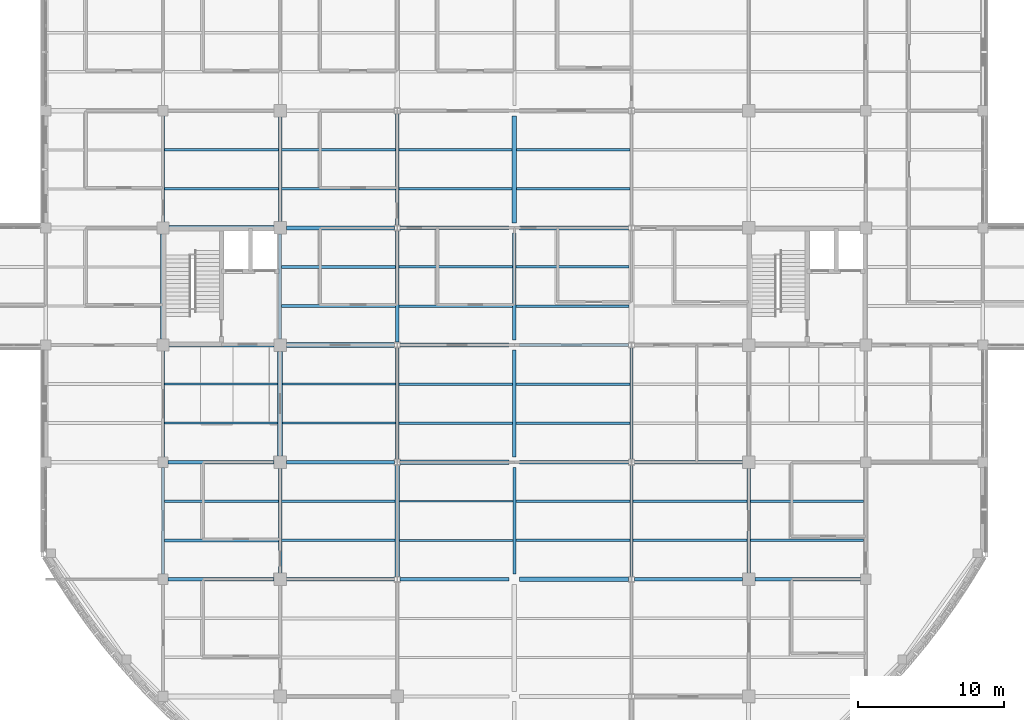
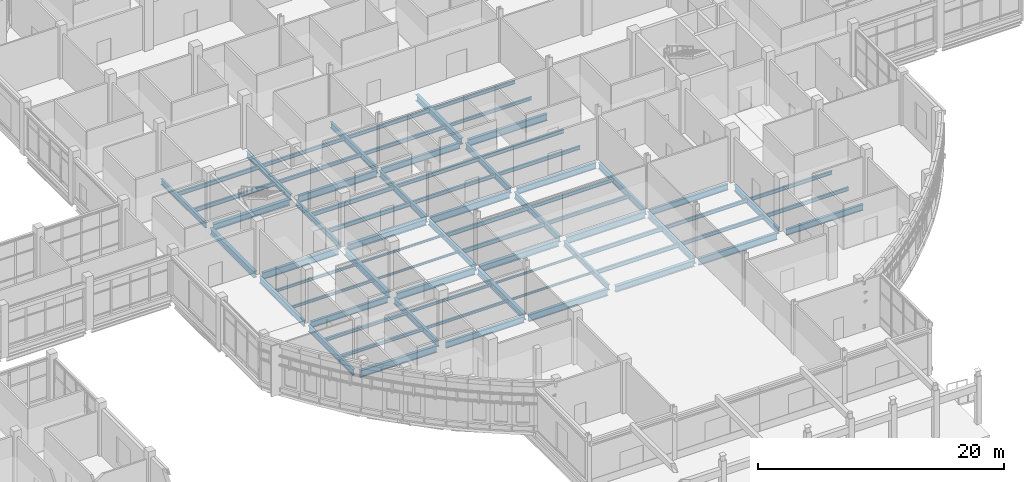
# One storey, part 20 of 105: 72 beams.
"""IFC4 building model written with IfcOpenShell, lengths in metres."""

from ifc_helpers import new_model, si_unit, derived_unit, direction, frame, origin, origin_2d, place, context, subcontext, project, spatial, i_section, extrude, material, material_profile, profile_set, type_object, element, save


model = new_model("IFC4")

# Units and contexts
model_context = context("Model", 3, precision=1e-05, world=origin(), true_north=direction((0.0, 1.0)))
body_context = subcontext(model_context, "Body", "Model", "MODEL_VIEW")
ifc_project = project(units=[si_unit("LENGTHUNIT", "METRE"), si_unit("AREAUNIT", "SQUARE_METRE"), si_unit("VOLUMEUNIT", "CUBIC_METRE"), si_unit("PLANEANGLEUNIT", "RADIAN"), si_unit("MASSUNIT", "GRAM", prefix="KILO"), derived_unit("THERMALTRANSMITTANCEUNIT", [(si_unit("MASSUNIT", "GRAM", prefix="KILO"), 1), (si_unit("TIMEUNIT", "SECOND"), -3), (si_unit("THERMODYNAMICTEMPERATUREUNIT", "KELVIN"), -1)])], contexts=[model_context])

# Site, building, storey
site_placement = place(None, origin())
site = spatial("IfcSite", under=ifc_project, at=site_placement, CompositionType="ELEMENT")
building_placement = place(site_placement, origin())
building = spatial("IfcBuilding", under=site, at=building_placement, Name="Veyamyaing Civic Hall", CompositionType="ELEMENT")
storey_placement = place(building_placement, origin())
storey = spatial("IfcBuildingStorey", under=building, at=storey_placement, Name="L00", CompositionType="ELEMENT", Elevation=0.0)

# Beams
ifc_material = material(Name="Steel ASTM A992", Category="steel")
ifc_material_profile_1 = material_profile(ifc_material, i_section(OverallWidth=0.256103515625, OverallDepth=0.693115234375, WebThickness=0.014404296875, FlangeThickness=0.023681640625, FilletRadius=0.013916015625, at=origin_2d()), Name="W690X170")
ifc_profile_set_1 = profile_set([ifc_material_profile_1], Name="Steel ASTM A992")
beam_type_1 = type_object("IfcBeamType", Name="B-04", PredefinedType="BEAM", material=ifc_profile_set_1)
beam_1_placement = place(storey_placement, frame((64.35009765625, 32.0, -0.611572265625), z_axis=(1.0, 0.0, 0.0), x_axis=(0.0, 1.0, 0.0)))
element("IfcBeam", 1, at=beam_1_placement, inside=storey, type_object=beam_type_1, Name="Girder B-04 L00 Grid E 9-10", PredefinedType="BEAM", context=body_context, shape_type="SweptSolid", body=[
    extrude(i_section(OverallWidth=0.256103515625, OverallDepth=0.693115234375, WebThickness=0.014404296875, FlangeThickness=0.023681640625, FilletRadius=0.013916015625, at=origin_2d()), origin(), (0.0, 0.0, 1.0), 7.224853515625),
])
beam_2_placement = place(storey_placement, frame((96.198974609375, 32.0, -0.611572265625), z_axis=(1.0, 0.0, 0.0), x_axis=(0.0, 1.0, 0.0)))
element("IfcBeam", 2, at=beam_2_placement, inside=storey, type_object=beam_type_1, Name="Girder B-04 L00 Grid E 13-14", PredefinedType="BEAM", context=body_context, shape_type="SweptSolid", body=[
    extrude(i_section(OverallWidth=0.256103515625, OverallDepth=0.693115234375, WebThickness=0.014404296875, FlangeThickness=0.023681640625, FilletRadius=0.013916015625, at=origin_2d()), origin(), (0.0, 0.0, 1.0), 7.3759765625),
])
for number, where, z_axis, x_axis, name in (
    (3, (88.35009765625, 40.0, -0.611572265625), (1.0, 0.0, 0.0), (0.0, 1.0, 0.0), "Girder B-04 L00 Grid F 12-13"),
    (4, (80.198974609375, 48.0, -0.611572265625), (1.0, 0.0, 0.0), (0.0, 1.0, 0.0), "Girder B-04 L00 Grid G 11-12"),
):
    element("IfcBeam", number, at=place(storey_placement, frame(where, z_axis=z_axis, x_axis=x_axis)), inside=storey, type_object=beam_type_1, Name=name, PredefinedType="BEAM", context=body_context, shape_type="SweptSolid", body=[
        extrude(i_section(OverallWidth=0.256103515625, OverallDepth=0.693115234375, WebThickness=0.014404296875, FlangeThickness=0.023681640625, FilletRadius=0.013916015625, at=origin_2d()), origin(), (0.0, 0.0, 1.0), 7.450927734375),
    ])
beam_3_placement = place(storey_placement, frame((72.425048828125, 56.0, -0.611572265625), z_axis=(1.0, 0.0, 0.0), x_axis=(0.0, 1.0, 0.0)))
element("IfcBeam", 5, at=beam_3_placement, inside=storey, type_object=beam_type_1, Name="Girder B-04 L00 Grid H 10-11", PredefinedType="BEAM", context=body_context, shape_type="SweptSolid", body=[
    extrude(i_section(OverallWidth=0.256103515625, OverallDepth=0.693115234375, WebThickness=0.014404296875, FlangeThickness=0.023681640625, FilletRadius=0.013916015625, at=origin_2d()), origin(), (0.0, 0.0, 1.0), 7.3759765625),
])
ifc_material_profile_2 = material_profile(ifc_material, i_section(OverallWidth=0.22998046875, OverallDepth=0.616943359375, WebThickness=0.01318359375, FlangeThickness=0.022216796875, FilletRadius=0.012939453125, at=origin_2d()), Name="W610X140")
ifc_profile_set_2 = profile_set([ifc_material_profile_2], Name="Steel ASTM A992")
beam_type_2 = type_object("IfcBeamType", Name="B-05", PredefinedType="BEAM", material=ifc_profile_set_2)
beam_4_placement = place(storey_placement, frame((72.425048828125, 32.0, -0.573486328125), z_axis=(1.0, 0.0, 0.0), x_axis=(0.0, 1.0, 0.0)))
element("IfcBeam", 6, at=beam_4_placement, inside=storey, type_object=beam_type_2, Name="Girder B-05 L00 Grid E 10-11", PredefinedType="BEAM", context=body_context, shape_type="SweptSolid", body=[
    extrude(i_section(OverallWidth=0.22998046875, OverallDepth=0.616943359375, WebThickness=0.01318359375, FlangeThickness=0.022216796875, FilletRadius=0.012939453125, at=origin_2d()), origin(), (0.0, 0.0, 1.0), 7.3759765625),
])
for number, where, z_axis, x_axis, name in (
    (7, (104.425048828125, 32.0, -0.573486328125), (1.0, 0.0, 0.0), (0.0, 1.0, 0.0), "Girder B-05 L00 Grid E 14-15"),
    (8, (64.35009765625, 40.0, -0.573486328125), (1.0, 0.0, 0.0), (0.0, 1.0, 0.0), "Girder B-05 L00 Grid F 9-10"),
):
    element("IfcBeam", number, at=place(storey_placement, frame(where, z_axis=z_axis, x_axis=x_axis)), inside=storey, type_object=beam_type_2, Name=name, PredefinedType="BEAM", context=body_context, shape_type="SweptSolid", body=[
        extrude(i_section(OverallWidth=0.22998046875, OverallDepth=0.616943359375, WebThickness=0.01318359375, FlangeThickness=0.022216796875, FilletRadius=0.012939453125, at=origin_2d()), origin(), (0.0, 0.0, 1.0), 7.224853515625),
    ])
beam_5_placement = place(storey_placement, frame((96.198974609375, 40.0, -0.573486328125), z_axis=(1.0, 0.0, 0.0), x_axis=(0.0, 1.0, 0.0)))
element("IfcBeam", 9, at=beam_5_placement, inside=storey, type_object=beam_type_2, Name="Girder B-05 L00 Grid F 13-14", PredefinedType="BEAM", context=body_context, shape_type="SweptSolid", body=[
    extrude(i_section(OverallWidth=0.22998046875, OverallDepth=0.616943359375, WebThickness=0.01318359375, FlangeThickness=0.022216796875, FilletRadius=0.012939453125, at=origin_2d()), origin(), (0.0, 0.0, 1.0), 7.3759765625),
])
for number, where, z_axis, x_axis, name in (
    (10, (88.35009765625, 48.0, -0.573486328125), (1.0, 0.0, 0.0), (0.0, 1.0, 0.0), "Girder B-05 L00 Grid G 12-13"),
    (11, (80.198974609375, 56.0, -0.573486328125), (1.0, 0.0, 0.0), (0.0, 1.0, 0.0), "Girder B-05 L00 Grid H 11-12"),
):
    element("IfcBeam", number, at=place(storey_placement, frame(where, z_axis=z_axis, x_axis=x_axis)), inside=storey, type_object=beam_type_2, Name=name, PredefinedType="BEAM", context=body_context, shape_type="SweptSolid", body=[
        extrude(i_section(OverallWidth=0.22998046875, OverallDepth=0.616943359375, WebThickness=0.01318359375, FlangeThickness=0.022216796875, FilletRadius=0.012939453125, at=origin_2d()), origin(), (0.0, 0.0, 1.0), 7.450927734375),
    ])
beam_6_placement = place(storey_placement, frame((64.0, 32.35009765625, -0.573486328125), z_axis=(0.0, 1.0, 0.0), x_axis=(-1.0, 0.0, 0.0)))
element("IfcBeam", 12, at=beam_6_placement, inside=storey, type_object=beam_type_2, Name="Girder B-05 L00 Grid 9 E-F", PredefinedType="BEAM", context=body_context, shape_type="SweptSolid", body=[
    extrude(i_section(OverallWidth=0.22998046875, OverallDepth=0.616943359375, WebThickness=0.01318359375, FlangeThickness=0.022216796875, FilletRadius=0.012939453125, at=origin_2d()), origin(), (0.0, 0.0, 1.0), 7.2998046875),
])
beam_7_placement = place(storey_placement, frame((72.0, 56.425048828125, -0.573486328125), z_axis=(0.0, 1.0, 0.0), x_axis=(-1.0, 0.0, 0.0)))
element("IfcBeam", 13, at=beam_7_placement, inside=storey, type_object=beam_type_2, Name="Girder B-05 L00 Grid 10 H-J", PredefinedType="BEAM", context=body_context, shape_type="SweptSolid", body=[
    extrude(i_section(OverallWidth=0.22998046875, OverallDepth=0.616943359375, WebThickness=0.01318359375, FlangeThickness=0.022216796875, FilletRadius=0.012939453125, at=origin_2d()), origin(), (0.0, 0.0, 1.0), 7.14990234375),
])
beam_8_placement = place(storey_placement, frame((80.0, 48.193603515625, -0.573486328125), z_axis=(0.0, 1.0, 0.0), x_axis=(-1.0, 0.0, 0.0)))
element("IfcBeam", 14, at=beam_8_placement, inside=storey, type_object=beam_type_2, Name="Girder B-05 L00 Grid 11 G-H", PredefinedType="BEAM", context=body_context, shape_type="SweptSolid", body=[
    extrude(i_section(OverallWidth=0.22998046875, OverallDepth=0.616943359375, WebThickness=0.01318359375, FlangeThickness=0.022216796875, FilletRadius=0.012939453125, at=origin_2d()), origin(), (0.0, 0.0, 1.0), 7.61279296875),
])
beam_9_placement = place(storey_placement, frame((88.0, 40.35009765625, -0.573486328125), z_axis=(0.0, 1.0, 0.0), x_axis=(-1.0, 0.0, 0.0)))
element("IfcBeam", 15, at=beam_9_placement, inside=storey, type_object=beam_type_2, Name="Girder B-05 L00 Grid 12 F-G", PredefinedType="BEAM", context=body_context, shape_type="SweptSolid", body=[
    extrude(i_section(OverallWidth=0.22998046875, OverallDepth=0.616943359375, WebThickness=0.01318359375, FlangeThickness=0.022216796875, FilletRadius=0.012939453125, at=origin_2d()), origin(), (0.0, 0.0, 1.0), 7.2998046875),
])
beam_10_placement = place(storey_placement, frame((96.0, 32.193603515625, -0.573486328125), z_axis=(0.0, 1.0, 0.0), x_axis=(-1.0, 0.0, 0.0)))
element("IfcBeam", 16, at=beam_10_placement, inside=storey, type_object=beam_type_2, Name="Girder B-05 L00 Grid 13 E-F", PredefinedType="BEAM", context=body_context, shape_type="SweptSolid", body=[
    extrude(i_section(OverallWidth=0.22998046875, OverallDepth=0.616943359375, WebThickness=0.01318359375, FlangeThickness=0.022216796875, FilletRadius=0.012939453125, at=origin_2d()), origin(), (0.0, 0.0, 1.0), 7.61279296875),
])
ifc_material_profile_3 = material_profile(ifc_material, i_section(OverallWidth=0.22802734375, OverallDepth=0.60791015625, WebThickness=0.01123046875, FlangeThickness=0.017333984375, FilletRadius=0.012939453125, at=origin_2d()), Name="W610X113")
ifc_profile_set_3 = profile_set([ifc_material_profile_3], Name="Steel ASTM A992")
beam_type_3 = type_object("IfcBeamType", Name="B-06", PredefinedType="BEAM", material=ifc_profile_set_3)
beam_11_placement = place(storey_placement, frame((64.0, 40.35009765625, -0.569091796875), z_axis=(0.0, 1.0, 0.0), x_axis=(-1.0, 0.0, 0.0)))
element("IfcBeam", 17, at=beam_11_placement, inside=storey, type_object=beam_type_3, Name="Girder B-06 L00 Grid 9 F-G", PredefinedType="BEAM", context=body_context, shape_type="SweptSolid", body=[
    extrude(i_section(OverallWidth=0.22802734375, OverallDepth=0.60791015625, WebThickness=0.01123046875, FlangeThickness=0.017333984375, FilletRadius=0.012939453125, at=origin_2d()), origin(), (0.0, 0.0, 1.0), 7.25),
])
beam_12_placement = place(storey_placement, frame((72.0, 32.425048828125, -0.569091796875), z_axis=(0.0, 1.0, 0.0), x_axis=(-1.0, 0.0, 0.0)))
element("IfcBeam", 18, at=beam_12_placement, inside=storey, type_object=beam_type_3, Name="Girder B-06 L00 Grid 10 E-F", PredefinedType="BEAM", context=body_context, shape_type="SweptSolid", body=[
    extrude(i_section(OverallWidth=0.22802734375, OverallDepth=0.60791015625, WebThickness=0.01123046875, FlangeThickness=0.017333984375, FilletRadius=0.012939453125, at=origin_2d()), origin(), (0.0, 0.0, 1.0), 7.14990234375),
])
beam_13_placement = place(storey_placement, frame((80.0, 56.193603515625, -0.569091796875), z_axis=(0.0, 1.0, 0.0), x_axis=(-1.0, 0.0, 0.0)))
element("IfcBeam", 19, at=beam_13_placement, inside=storey, type_object=beam_type_3, Name="Girder B-06 L00 Grid 11 H-J", PredefinedType="BEAM", context=body_context, shape_type="SweptSolid", body=[
    extrude(i_section(OverallWidth=0.22802734375, OverallDepth=0.60791015625, WebThickness=0.01123046875, FlangeThickness=0.017333984375, FilletRadius=0.012939453125, at=origin_2d()), origin(), (0.0, 0.0, 1.0), 7.61279296875),
])
beam_14_placement = place(storey_placement, frame((88.0, 48.35009765625, -0.569091796875), z_axis=(0.0, 1.0, 0.0), x_axis=(-1.0, 0.0, 0.0)))
element("IfcBeam", 20, at=beam_14_placement, inside=storey, type_object=beam_type_3, Name="Girder B-06 L00 Grid 12 G-H", PredefinedType="BEAM", context=body_context, shape_type="SweptSolid", body=[
    extrude(i_section(OverallWidth=0.22802734375, OverallDepth=0.60791015625, WebThickness=0.01123046875, FlangeThickness=0.017333984375, FilletRadius=0.012939453125, at=origin_2d()), origin(), (0.0, 0.0, 1.0), 7.2998046875),
])
beam_15_placement = place(storey_placement, frame((96.0, 40.193603515625, -0.569091796875), z_axis=(0.0, 1.0, 0.0), x_axis=(-1.0, 0.0, 0.0)))
element("IfcBeam", 21, at=beam_15_placement, inside=storey, type_object=beam_type_3, Name="Girder B-06 L00 Grid 13 F-G", PredefinedType="BEAM", context=body_context, shape_type="SweptSolid", body=[
    extrude(i_section(OverallWidth=0.22802734375, OverallDepth=0.60791015625, WebThickness=0.01123046875, FlangeThickness=0.017333984375, FilletRadius=0.012939453125, at=origin_2d()), origin(), (0.0, 0.0, 1.0), 7.61279296875),
])
beam_16_placement = place(storey_placement, frame((104.0, 32.425048828125, -0.569091796875), z_axis=(0.0, 1.0, 0.0), x_axis=(-1.0, 0.0, 0.0)))
element("IfcBeam", 22, at=beam_16_placement, inside=storey, type_object=beam_type_3, Name="Girder B-06 L00 Grid 14 E-F", PredefinedType="BEAM", context=body_context, shape_type="SweptSolid", body=[
    extrude(i_section(OverallWidth=0.22802734375, OverallDepth=0.60791015625, WebThickness=0.01123046875, FlangeThickness=0.017333984375, FilletRadius=0.012939453125, at=origin_2d()), origin(), (0.0, 0.0, 1.0), 7.14990234375),
])
ifc_material_profile_4 = material_profile(ifc_material, i_section(OverallWidth=0.25390625, OverallDepth=0.68408203125, WebThickness=0.012451171875, FlangeThickness=0.01904296875, FilletRadius=0.013916015625, at=origin_2d()), Name="W690X140")
ifc_profile_set_4 = profile_set([ifc_material_profile_4], Name="Steel ASTM A992")
beam_type_4 = type_object("IfcBeamType", Name="B-14", PredefinedType="BEAM", material=ifc_profile_set_4)
beam_17_placement = place(storey_placement, frame((80.198974609375, 32.0, -0.60693359375), z_axis=(1.0, 0.0, 0.0), x_axis=(0.0, 1.0, 0.0)))
element("IfcBeam", 23, at=beam_17_placement, inside=storey, type_object=beam_type_4, Name="Girder B-14 L00 Grid E 11-12", PredefinedType="BEAM", context=body_context, shape_type="SweptSolid", body=[
    extrude(i_section(OverallWidth=0.25390625, OverallDepth=0.68408203125, WebThickness=0.012451171875, FlangeThickness=0.01904296875, FilletRadius=0.013916015625, at=origin_2d()), origin(), (0.0, 0.0, 1.0), 7.450927734375),
])
beam_18_placement = place(storey_placement, frame((72.425048828125, 40.0, -0.60693359375), z_axis=(1.0, 0.0, 0.0), x_axis=(0.0, 1.0, 0.0)))
element("IfcBeam", 24, at=beam_18_placement, inside=storey, type_object=beam_type_4, Name="Girder B-14 L00 Grid F 10-11", PredefinedType="BEAM", context=body_context, shape_type="SweptSolid", body=[
    extrude(i_section(OverallWidth=0.25390625, OverallDepth=0.68408203125, WebThickness=0.012451171875, FlangeThickness=0.01904296875, FilletRadius=0.013916015625, at=origin_2d()), origin(), (0.0, 0.0, 1.0), 7.3759765625),
])
beam_19_placement = place(storey_placement, frame((64.39990234375, 48.0, -0.60693359375), z_axis=(1.0, 0.0, 0.0), x_axis=(0.0, 1.0, 0.0)))
element("IfcBeam", 25, at=beam_19_placement, inside=storey, type_object=beam_type_4, Name="Girder B-14 L00 Grid G 9-10", PredefinedType="BEAM", context=body_context, shape_type="SweptSolid", body=[
    extrude(i_section(OverallWidth=0.25390625, OverallDepth=0.68408203125, WebThickness=0.012451171875, FlangeThickness=0.01904296875, FilletRadius=0.013916015625, at=origin_2d()), origin(), (0.0, 0.0, 1.0), 7.175048828125),
])
beam_20_placement = place(storey_placement, frame((88.35009765625, 56.0, -0.60693359375), z_axis=(1.0, 0.0, 0.0), x_axis=(0.0, 1.0, 0.0)))
element("IfcBeam", 26, at=beam_20_placement, inside=storey, type_object=beam_type_4, Name="Girder B-14 L00 Grid H 12-13", PredefinedType="BEAM", context=body_context, shape_type="SweptSolid", body=[
    extrude(i_section(OverallWidth=0.25390625, OverallDepth=0.68408203125, WebThickness=0.012451171875, FlangeThickness=0.01904296875, FilletRadius=0.013916015625, at=origin_2d()), origin(), (0.0, 0.0, 1.0), 7.450927734375),
])
ifc_material_profile_5 = material_profile(ifc_material, i_section(OverallWidth=0.324951171875, OverallDepth=0.615966796875, WebThickness=0.013916015625, FlangeThickness=0.021484375, FilletRadius=0.013916015625, at=origin_2d()), Name="W610X174")
ifc_profile_set_5 = profile_set([ifc_material_profile_5], Name="Steel ASTM A992")
beam_type_5 = type_object("IfcBeamType", Name="B-15", PredefinedType="BEAM", material=ifc_profile_set_5)
for number, where, z_axis, x_axis, name in (
    (27, (88.35009765625, 32.0, -0.572998046875), (1.0, 0.0, 0.0), (0.0, 1.0, 0.0), "Girder B-15 L00 Grid E 12-13"),
    (28, (80.198974609375, 40.0, -0.572998046875), (1.0, 0.0, 0.0), (0.0, 1.0, 0.0), "Girder B-15 L00 Grid F 11-12"),
):
    element("IfcBeam", number, at=place(storey_placement, frame(where, z_axis=z_axis, x_axis=x_axis)), inside=storey, type_object=beam_type_5, Name=name, PredefinedType="BEAM", context=body_context, shape_type="SweptSolid", body=[
        extrude(i_section(OverallWidth=0.324951171875, OverallDepth=0.615966796875, WebThickness=0.013916015625, FlangeThickness=0.021484375, FilletRadius=0.013916015625, at=origin_2d()), origin(), (0.0, 0.0, 1.0), 7.450927734375),
    ])
beam_21_placement = place(storey_placement, frame((72.425048828125, 48.0, -0.572998046875), z_axis=(1.0, 0.0, 0.0), x_axis=(0.0, 1.0, 0.0)))
element("IfcBeam", 29, at=beam_21_placement, inside=storey, type_object=beam_type_5, Name="Girder B-15 L00 Grid G 10-11", PredefinedType="BEAM", context=body_context, shape_type="SweptSolid", body=[
    extrude(i_section(OverallWidth=0.324951171875, OverallDepth=0.615966796875, WebThickness=0.013916015625, FlangeThickness=0.021484375, FilletRadius=0.013916015625, at=origin_2d()), origin(), (0.0, 0.0, 1.0), 7.3759765625),
])
beam_22_placement = place(storey_placement, frame((64.39990234375, 56.0, -0.572998046875), z_axis=(1.0, 0.0, 0.0), x_axis=(0.0, 1.0, 0.0)))
element("IfcBeam", 30, at=beam_22_placement, inside=storey, type_object=beam_type_5, Name="Girder B-15 L00 Grid H 9-10", PredefinedType="BEAM", context=body_context, shape_type="SweptSolid", body=[
    extrude(i_section(OverallWidth=0.324951171875, OverallDepth=0.615966796875, WebThickness=0.013916015625, FlangeThickness=0.021484375, FilletRadius=0.013916015625, at=origin_2d()), origin(), (0.0, 0.0, 1.0), 7.175048828125),
])
beam_23_placement = place(storey_placement, frame((64.0, 48.39990234375, -0.572998046875), z_axis=(0.0, 1.0, 0.0), x_axis=(-1.0, 0.0, 0.0)))
element("IfcBeam", 31, at=beam_23_placement, inside=storey, type_object=beam_type_5, Name="Girder B-15 L00 Grid 9 G-H", PredefinedType="BEAM", context=body_context, shape_type="SweptSolid", body=[
    extrude(i_section(OverallWidth=0.324951171875, OverallDepth=0.615966796875, WebThickness=0.013916015625, FlangeThickness=0.021484375, FilletRadius=0.013916015625, at=origin_2d()), origin(), (0.0, 0.0, 1.0), 7.2001953125),
])
beam_24_placement = place(storey_placement, frame((72.0, 40.425048828125, -0.572998046875), z_axis=(0.0, 1.0, 0.0), x_axis=(-1.0, 0.0, 0.0)))
element("IfcBeam", 32, at=beam_24_placement, inside=storey, type_object=beam_type_5, Name="Girder B-15 L00 Grid 10 F-G", PredefinedType="BEAM", context=body_context, shape_type="SweptSolid", body=[
    extrude(i_section(OverallWidth=0.324951171875, OverallDepth=0.615966796875, WebThickness=0.013916015625, FlangeThickness=0.021484375, FilletRadius=0.013916015625, at=origin_2d()), origin(), (0.0, 0.0, 1.0), 7.14990234375),
])
beam_25_placement = place(storey_placement, frame((80.0, 32.193603515625, -0.572998046875), z_axis=(0.0, 1.0, 0.0), x_axis=(-1.0, 0.0, 0.0)))
element("IfcBeam", 33, at=beam_25_placement, inside=storey, type_object=beam_type_5, Name="Girder B-15 L00 Grid 11 E-F", PredefinedType="BEAM", context=body_context, shape_type="SweptSolid", body=[
    extrude(i_section(OverallWidth=0.324951171875, OverallDepth=0.615966796875, WebThickness=0.013916015625, FlangeThickness=0.021484375, FilletRadius=0.013916015625, at=origin_2d()), origin(), (0.0, 0.0, 1.0), 7.61279296875),
])
beam_26_placement = place(storey_placement, frame((88.0, 56.35009765625, -0.572998046875), z_axis=(0.0, 1.0, 0.0), x_axis=(-1.0, 0.0, 0.0)))
element("IfcBeam", 34, at=beam_26_placement, inside=storey, type_object=beam_type_5, Name="Girder B-15 L00 Grid 12 H-J", PredefinedType="BEAM", context=body_context, shape_type="SweptSolid", body=[
    extrude(i_section(OverallWidth=0.324951171875, OverallDepth=0.615966796875, WebThickness=0.013916015625, FlangeThickness=0.021484375, FilletRadius=0.013916015625, at=origin_2d()), origin(), (0.0, 0.0, 1.0), 7.2998046875),
])
ifc_material_profile_6 = material_profile(ifc_material, i_section(OverallWidth=0.214111328125, OverallDepth=0.549072265625, WebThickness=0.0146484375, FlangeThickness=0.023681640625, FilletRadius=0.011962890625, at=origin_2d()), Name="W530X138")
ifc_profile_set_6 = profile_set([ifc_material_profile_6], Name="Steel ASTM A992")
beam_type_6 = type_object("IfcBeamType", Name="B-16", PredefinedType="BEAM", material=ifc_profile_set_6)
beam_27_placement = place(storey_placement, frame((64.0, 56.39990234375, -0.53955078125), z_axis=(0.0, 1.0, 0.0), x_axis=(-1.0, 0.0, 0.0)))
element("IfcBeam", 35, at=beam_27_placement, inside=storey, type_object=beam_type_6, Name="Girder B-16 L00 Grid 9 H-J", PredefinedType="BEAM", context=body_context, shape_type="SweptSolid", body=[
    extrude(i_section(OverallWidth=0.214111328125, OverallDepth=0.549072265625, WebThickness=0.0146484375, FlangeThickness=0.023681640625, FilletRadius=0.011962890625, at=origin_2d()), origin(), (0.0, 0.0, 1.0), 7.25),
])
beam_28_placement = place(storey_placement, frame((72.0, 48.425048828125, -0.53955078125), z_axis=(0.0, 1.0, 0.0), x_axis=(-1.0, 0.0, 0.0)))
element("IfcBeam", 36, at=beam_28_placement, inside=storey, type_object=beam_type_6, Name="Girder B-16 L00 Grid 10 G-H", PredefinedType="BEAM", context=body_context, shape_type="SweptSolid", body=[
    extrude(i_section(OverallWidth=0.214111328125, OverallDepth=0.549072265625, WebThickness=0.0146484375, FlangeThickness=0.023681640625, FilletRadius=0.011962890625, at=origin_2d()), origin(), (0.0, 0.0, 1.0), 7.14990234375),
])
beam_29_placement = place(storey_placement, frame((80.0, 40.193603515625, -0.53955078125), z_axis=(0.0, 1.0, 0.0), x_axis=(-1.0, 0.0, 0.0)))
element("IfcBeam", 37, at=beam_29_placement, inside=storey, type_object=beam_type_6, Name="Girder B-16 L00 Grid 11 F-G", PredefinedType="BEAM", context=body_context, shape_type="SweptSolid", body=[
    extrude(i_section(OverallWidth=0.214111328125, OverallDepth=0.549072265625, WebThickness=0.0146484375, FlangeThickness=0.023681640625, FilletRadius=0.011962890625, at=origin_2d()), origin(), (0.0, 0.0, 1.0), 7.61279296875),
])
beam_30_placement = place(storey_placement, frame((88.0, 32.35009765625, -0.53955078125), z_axis=(0.0, 1.0, 0.0), x_axis=(-1.0, 0.0, 0.0)))
element("IfcBeam", 38, at=beam_30_placement, inside=storey, type_object=beam_type_6, Name="Girder B-16 L00 Grid 12 E-F", PredefinedType="BEAM", context=body_context, shape_type="SweptSolid", body=[
    extrude(i_section(OverallWidth=0.214111328125, OverallDepth=0.549072265625, WebThickness=0.0146484375, FlangeThickness=0.023681640625, FilletRadius=0.011962890625, at=origin_2d()), origin(), (0.0, 0.0, 1.0), 7.2998046875),
])
ifc_material_profile_7 = material_profile(ifc_material, i_section(OverallWidth=0.177978515625, OverallDepth=0.406982421875, WebThickness=0.0078125, FlangeThickness=0.0126953125, FilletRadius=0.010009765625, at=origin_2d()), Name="W410X60")
ifc_profile_set_7 = profile_set([ifc_material_profile_7], Name="Steel ASTM A992")
beam_type_7 = type_object("IfcBeamType", Name="J-01", PredefinedType="JOIST", material=ifc_profile_set_7)
for number, where, z_axis, x_axis, name in (
    (39, (64.10498046875, 58.666748046875, -0.468505859375), (1.0, 0.0, 0.0), (0.0, 1.0, 0.0), "Composite floor joist J-01 L00 9.8.1"),
    (40, (64.10498046875, 61.333251953125, -0.468505859375), (1.0, 0.0, 0.0), (0.0, 1.0, 0.0), "Composite floor joist J-01 L00 9.8.2"),
    (41, (72.10498046875, 50.666748046875, -0.468505859375), (1.0, 0.0, 0.0), (0.0, 1.0, 0.0), "Composite floor joist J-01 L00 10.7.1"),
    (42, (72.10498046875, 53.333251953125, -0.468505859375), (1.0, 0.0, 0.0), (0.0, 1.0, 0.0), "Composite floor joist J-01 L00 10.7.2"),
    (43, (80.10498046875, 42.666748046875, -0.468505859375), (1.0, 0.0, 0.0), (0.0, 1.0, 0.0), "Composite floor joist J-01 L00 11.6.1"),
    (44, (80.10498046875, 45.333251953125, -0.468505859375), (1.0, 0.0, 0.0), (0.0, 1.0, 0.0), "Composite floor joist J-01 L00 11.6.2"),
    (45, (88.10498046875, 34.666748046875, -0.468505859375), (1.0, 0.0, 0.0), (0.0, 1.0, 0.0), "Composite floor joist J-01 L00 12.5.1"),
    (46, (88.10498046875, 37.333251953125, -0.468505859375), (1.0, 0.0, 0.0), (0.0, 1.0, 0.0), "Composite floor joist J-01 L00 12.5.2"),
):
    element("IfcBeam", number, at=place(storey_placement, frame(where, z_axis=z_axis, x_axis=x_axis)), inside=storey, type_object=beam_type_7, Name=name, PredefinedType="JOIST", context=body_context, shape_type="SweptSolid", body=[
        extrude(i_section(OverallWidth=0.177978515625, OverallDepth=0.406982421875, WebThickness=0.0078125, FlangeThickness=0.0126953125, FilletRadius=0.010009765625, at=origin_2d()), origin(), (0.0, 0.0, 1.0), 7.781982421875),
    ])
ifc_material_profile_8 = material_profile(ifc_material, i_section(OverallWidth=0.172119140625, OverallDepth=0.35791015625, WebThickness=0.0078125, FlangeThickness=0.01318359375, FilletRadius=0.010009765625, at=origin_2d()), Name="W360X57")
ifc_profile_set_8 = profile_set([ifc_material_profile_8], Name="Steel ASTM A992")
beam_type_8 = type_object("IfcBeamType", Name="J-02", PredefinedType="JOIST", material=ifc_profile_set_8)
for number, where, z_axis, x_axis, name in (
    (47, (72.113037109375, 58.666748046875, -0.444091796875), (1.0, 0.0, 0.0), (0.0, 1.0, 0.0), "Composite floor joist J-02 L00 10.8.1"),
    (48, (72.113037109375, 61.333251953125, -0.444091796875), (1.0, 0.0, 0.0), (0.0, 1.0, 0.0), "Composite floor joist J-02 L00 10.8.2"),
    (49, (80.113037109375, 50.666748046875, -0.444091796875), (1.0, 0.0, 0.0), (0.0, 1.0, 0.0), "Composite floor joist J-02 L00 11.7.1"),
    (50, (80.113037109375, 53.333251953125, -0.444091796875), (1.0, 0.0, 0.0), (0.0, 1.0, 0.0), "Composite floor joist J-02 L00 11.7.2"),
    (51, (88.113037109375, 42.666748046875, -0.444091796875), (1.0, 0.0, 0.0), (0.0, 1.0, 0.0), "Composite floor joist J-02 L00 12.6.1"),
    (52, (88.113037109375, 45.333251953125, -0.444091796875), (1.0, 0.0, 0.0), (0.0, 1.0, 0.0), "Composite floor joist J-02 L00 12.6.2"),
    (53, (96.113037109375, 34.666748046875, -0.444091796875), (1.0, 0.0, 0.0), (0.0, 1.0, 0.0), "Composite floor joist J-02 L00 13.5.1"),
    (54, (96.113037109375, 37.333251953125, -0.444091796875), (1.0, 0.0, 0.0), (0.0, 1.0, 0.0), "Composite floor joist J-02 L00 13.5.2"),
):
    element("IfcBeam", number, at=place(storey_placement, frame(where, z_axis=z_axis, x_axis=x_axis)), inside=storey, type_object=beam_type_8, Name=name, PredefinedType="JOIST", context=body_context, shape_type="SweptSolid", body=[
        extrude(i_section(OverallWidth=0.172119140625, OverallDepth=0.35791015625, WebThickness=0.0078125, FlangeThickness=0.01318359375, FilletRadius=0.010009765625, at=origin_2d()), origin(), (0.0, 0.0, 1.0), 7.77490234375),
    ])
ifc_material_profile_9 = material_profile(ifc_material, i_section(OverallWidth=0.1708984375, OverallDepth=0.35205078125, WebThickness=0.0068359375, FlangeThickness=0.009765625, FilletRadius=0.010009765625, at=origin_2d()), Name="W360X44")
ifc_profile_set_9 = profile_set([ifc_material_profile_9], Name="Steel ASTM A992")
beam_type_9 = type_object("IfcBeamType", Name="J-03", PredefinedType="JOIST", material=ifc_profile_set_9)
for number, where, z_axis, x_axis, name in (
    (55, (80.112060546875, 58.666748046875, -0.44091796875), (1.0, 0.0, 0.0), (0.0, 1.0, 0.0), "Composite floor joist J-03 L00 11.8.1"),
    (56, (80.112060546875, 61.333251953125, -0.44091796875), (1.0, 0.0, 0.0), (0.0, 1.0, 0.0), "Composite floor joist J-03 L00 11.8.2"),
    (57, (88.112060546875, 50.666748046875, -0.44091796875), (1.0, 0.0, 0.0), (0.0, 1.0, 0.0), "Composite floor joist J-03 L00 12.7.1"),
    (58, (88.112060546875, 53.333251953125, -0.44091796875), (1.0, 0.0, 0.0), (0.0, 1.0, 0.0), "Composite floor joist J-03 L00 12.7.2"),
    (59, (104.112060546875, 34.666748046875, -0.44091796875), (1.0, 0.0, 0.0), (0.0, 1.0, 0.0), "Composite floor joist J-03 L00 14.5.1"),
    (60, (104.112060546875, 37.333251953125, -0.44091796875), (1.0, 0.0, 0.0), (0.0, 1.0, 0.0), "Composite floor joist J-03 L00 14.5.2"),
):
    element("IfcBeam", number, at=place(storey_placement, frame(where, z_axis=z_axis, x_axis=x_axis)), inside=storey, type_object=beam_type_9, Name=name, PredefinedType="JOIST", context=body_context, shape_type="SweptSolid", body=[
        extrude(i_section(OverallWidth=0.1708984375, OverallDepth=0.35205078125, WebThickness=0.0068359375, FlangeThickness=0.009765625, FilletRadius=0.010009765625, at=origin_2d()), origin(), (0.0, 0.0, 1.0), 7.7275390625),
    ])
ifc_material_profile_10 = material_profile(ifc_material, i_section(OverallWidth=0.1669921875, OverallDepth=0.318115234375, WebThickness=0.007568359375, FlangeThickness=0.01318359375, FilletRadius=0.010009765625, at=origin_2d()), Name="W310X52")
ifc_profile_set_10 = profile_set([ifc_material_profile_10], Name="Steel ASTM A992")
beam_type_10 = type_object("IfcBeamType", Name="J-04", PredefinedType="JOIST", material=ifc_profile_set_10)
for number, where, z_axis, x_axis, name in (
    (61, (88.160400390625, 58.666748046875, -0.424072265625), (1.0, 0.0, 0.0), (0.0, 1.0, 0.0), "Composite floor joist J-04 L00 12.8.1"),
    (62, (88.160400390625, 61.333251953125, -0.424072265625), (1.0, 0.0, 0.0), (0.0, 1.0, 0.0), "Composite floor joist J-04 L00 12.8.2"),
):
    element("IfcBeam", number, at=place(storey_placement, frame(where, z_axis=z_axis, x_axis=x_axis)), inside=storey, type_object=beam_type_10, Name=name, PredefinedType="JOIST", context=body_context, shape_type="SweptSolid", body=[
        extrude(i_section(OverallWidth=0.1669921875, OverallDepth=0.318115234375, WebThickness=0.007568359375, FlangeThickness=0.01318359375, FilletRadius=0.010009765625, at=origin_2d()), origin(), (0.0, 0.0, 1.0), 7.734619140625),
    ])
ifc_material_profile_11 = material_profile(ifc_material, i_section(OverallWidth=0.2041015625, OverallDepth=0.305908203125, WebThickness=0.008544921875, FlangeThickness=0.0146484375, FilletRadius=0.010009765625, at=origin_2d()), Name="W310X67")
ifc_profile_set_11 = profile_set([ifc_material_profile_11], Name="Steel ASTM A992")
beam_type_11 = type_object("IfcBeamType", Name="J-06", PredefinedType="JOIST", material=ifc_profile_set_11)
for number, where, z_axis, x_axis, name in (
    (63, (64.113037109375, 34.666748046875, -0.41796875), (1.0, 0.0, 0.0), (0.0, 1.0, 0.0), "Composite floor joist J-06 L00 9.5.1"),
    (64, (64.113037109375, 37.333251953125, -0.41796875), (1.0, 0.0, 0.0), (0.0, 1.0, 0.0), "Composite floor joist J-06 L00 9.5.2"),
):
    element("IfcBeam", number, at=place(storey_placement, frame(where, z_axis=z_axis, x_axis=x_axis)), inside=storey, type_object=beam_type_11, Name=name, PredefinedType="JOIST", context=body_context, shape_type="SweptSolid", body=[
        extrude(i_section(OverallWidth=0.2041015625, OverallDepth=0.305908203125, WebThickness=0.008544921875, FlangeThickness=0.0146484375, FilletRadius=0.010009765625, at=origin_2d()), origin(), (0.0, 0.0, 1.0), 7.77490234375),
    ])
ifc_material_profile_12 = material_profile(ifc_material, i_section(OverallWidth=0.14794921875, OverallDepth=0.26611328125, WebThickness=0.007568359375, FlangeThickness=0.012939453125, FilletRadius=0.010009765625, at=origin_2d()), Name="W250X45")
ifc_profile_set_12 = profile_set([ifc_material_profile_12], Name="Steel ASTM A992")
beam_type_12 = type_object("IfcBeamType", Name="J-07", PredefinedType="JOIST", material=ifc_profile_set_12)
for number, where, z_axis, x_axis, name in (
    (65, (64.112060546875, 42.666748046875, -0.39794921875), (1.0, 0.0, 0.0), (0.0, 1.0, 0.0), "Composite floor joist J-07 L00 9.6.1"),
    (66, (64.112060546875, 45.333251953125, -0.39794921875), (1.0, 0.0, 0.0), (0.0, 1.0, 0.0), "Composite floor joist J-07 L00 9.6.2"),
    (67, (72.112060546875, 34.666748046875, -0.39794921875), (1.0, 0.0, 0.0), (0.0, 1.0, 0.0), "Composite floor joist J-07 L00 10.5.1"),
    (68, (72.112060546875, 37.333251953125, -0.39794921875), (1.0, 0.0, 0.0), (0.0, 1.0, 0.0), "Composite floor joist J-07 L00 10.5.2"),
):
    element("IfcBeam", number, at=place(storey_placement, frame(where, z_axis=z_axis, x_axis=x_axis)), inside=storey, type_object=beam_type_12, Name=name, PredefinedType="JOIST", context=body_context, shape_type="SweptSolid", body=[
        extrude(i_section(OverallWidth=0.14794921875, OverallDepth=0.26611328125, WebThickness=0.007568359375, FlangeThickness=0.012939453125, FilletRadius=0.010009765625, at=origin_2d()), origin(), (0.0, 0.0, 1.0), 7.7275390625),
    ])
ifc_material_profile_13 = material_profile(ifc_material, i_section(OverallWidth=0.133056640625, OverallDepth=0.20703125, WebThickness=0.005859375, FlangeThickness=0.00830078125, FilletRadius=0.010009765625, at=origin_2d()), Name="W200X27")
ifc_profile_set_13 = profile_set([ifc_material_profile_13], Name="Steel ASTM A992")
beam_type_13 = type_object("IfcBeamType", Name="J-08", PredefinedType="JOIST", material=ifc_profile_set_13)
for number, where, z_axis, x_axis, name in (
    (69, (72.160400390625, 42.666748046875, -0.368408203125), (1.0, 0.0, 0.0), (0.0, 1.0, 0.0), "Composite floor joist J-08 L00 10.6.1"),
    (70, (72.160400390625, 45.333251953125, -0.368408203125), (1.0, 0.0, 0.0), (0.0, 1.0, 0.0), "Composite floor joist J-08 L00 10.6.2"),
    (71, (80.160400390625, 34.666748046875, -0.368408203125), (1.0, 0.0, 0.0), (0.0, 1.0, 0.0), "Composite floor joist J-08 L00 11.5.1"),
    (72, (80.160400390625, 37.333251953125, -0.368408203125), (1.0, 0.0, 0.0), (0.0, 1.0, 0.0), "Composite floor joist J-08 L00 11.5.2"),
):
    element("IfcBeam", number, at=place(storey_placement, frame(where, z_axis=z_axis, x_axis=x_axis)), inside=storey, type_object=beam_type_13, Name=name, PredefinedType="JOIST", context=body_context, shape_type="SweptSolid", body=[
        extrude(i_section(OverallWidth=0.133056640625, OverallDepth=0.20703125, WebThickness=0.005859375, FlangeThickness=0.00830078125, FilletRadius=0.010009765625, at=origin_2d()), origin(), (0.0, 0.0, 1.0), 7.734619140625),
    ])

save(model, "model.ifc")
